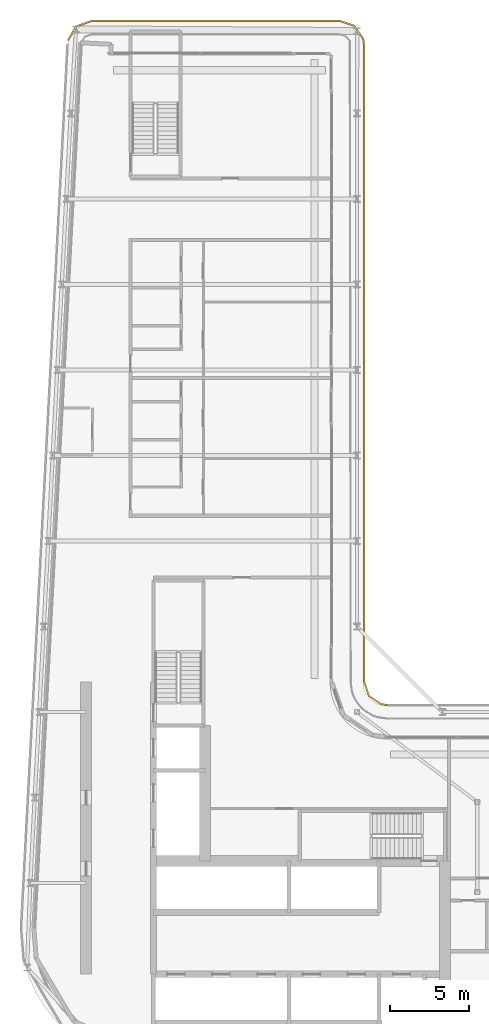
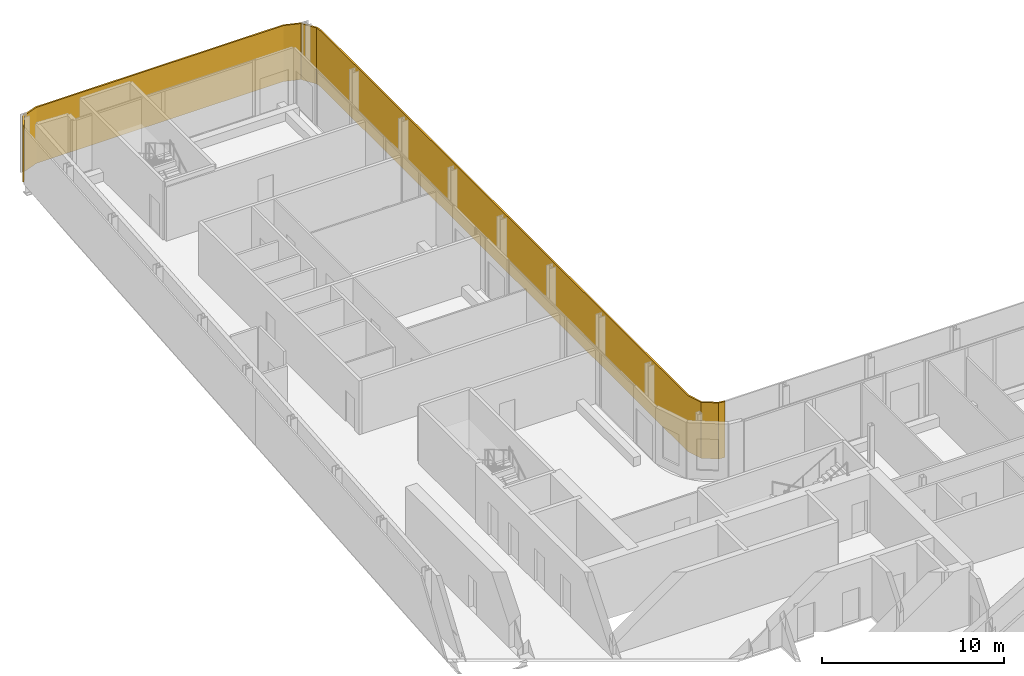
# One storey, part 19 of 21: 1 shading device.
"""IFC4 building model written with IfcOpenShell, lengths in metres."""

import ifcopenshell
import ifcopenshell.guid

model = None  # the IFC model being written
_history = None  # IfcOwnerHistory: only IFC2X3 demands one
_inside = {}  # id of a spatial element -> (the spatial element, [elements in it])
_under = {}  # id of a project, library or spatial element -> (it, [spatial elements below it])
_declared = {}  # id of a project -> (the project, [libraries it declares])
_typed = {}  # id of a type object -> (the type object, [elements of that type])
_made_of = {}  # id of a material, layer set ... -> (it, [elements and type objects made of it])


def new_model(schema):
    """Start an empty IFC model of exactly this schema.

    Asked for "IFC4X3", IfcOpenShell would pick the latest addendum, in which some entities
    have other attributes; the version numbers below select the first issue.
    IFC2X3 requires an IfcOwnerHistory on every rooted entity: one is made here for all.
    """
    global model, _history
    if schema == "IFC4X3":
        model = ifcopenshell.file(schema_version=(4, 3, 0, 0))
    else:
        model = ifcopenshell.file(schema=schema)
    _inside.clear()
    _under.clear()
    _declared.clear()
    _typed.clear()
    _made_of.clear()
    _history = None
    if model.schema == "IFC2X3":
        org = make("IfcOrganization", Name="unknown")
        user = make(
            "IfcPersonAndOrganization",
            ThePerson=make("IfcPerson", FamilyName="unknown"),
            TheOrganization=org,
        )
        app = make(
            "IfcApplication",
            ApplicationDeveloper=org,
            Version="unknown",
            ApplicationFullName="unknown",
            ApplicationIdentifier="unknown",
        )
        _history = make(
            "IfcOwnerHistory",
            OwningUser=user,
            OwningApplication=app,
            ChangeAction="ADDED",
            CreationDate=0,
        )
    return model


def make(cls, **values):
    """One entity of the class cls with the attributes given. An attribute that is None is left unset."""
    return model.create_entity(
        cls, **{name: value for name, value in values.items() if value is not None}
    )


def rooted(cls, **values):
    """An entity with a GlobalId (a new one), such as an element, a storey or a relation."""
    return make(cls, GlobalId=ifcopenshell.guid.new(), OwnerHistory=_history, **values)


def si_unit(unit_type, name, prefix=None):
    """IfcSIUnit, for example si_unit("LENGTHUNIT", "METRE", prefix="MILLI")."""
    return make("IfcSIUnit", UnitType=unit_type, Prefix=prefix, Name=name)


def assignment(units):
    """IfcUnitAssignment: the units of a project."""
    return None if units is None else make("IfcUnitAssignment", Units=units)


def point(xyz):
    """IfcCartesianPoint."""
    return None if xyz is None else make("IfcCartesianPoint", Coordinates=xyz)


def direction(xyz):
    """IfcDirection."""
    return None if xyz is None else make("IfcDirection", DirectionRatios=xyz)


def frame(location, z_axis=None, x_axis=None):
    """IfcAxis2Placement3D, a coordinate frame: its origin and axes. An axis left out is left unset."""
    return make(
        "IfcAxis2Placement3D",
        Location=point(location),
        Axis=direction(z_axis),
        RefDirection=direction(x_axis),
    )


def origin():
    """The frame at (0, 0, 0) with its axes left unset."""
    return frame((0.0, 0.0, 0.0))


def place(relative_to, where):
    """IfcLocalPlacement: puts the frame where relative to a parent placement (None: the world)."""
    return make(
        "IfcLocalPlacement", PlacementRelTo=relative_to, RelativePlacement=where
    )


def context(
    kind, dimensions, precision=None, world=None, true_north=None, identifier=None
):
    """IfcGeometricRepresentationContext, for example the 3D "Model" context."""
    return make(
        "IfcGeometricRepresentationContext",
        ContextIdentifier=identifier,
        ContextType=kind,
        CoordinateSpaceDimension=dimensions,
        Precision=precision,
        WorldCoordinateSystem=world,
        TrueNorth=true_north,
    )


def subcontext(parent, identifier, kind, view, scale=None):
    """IfcGeometricRepresentationSubContext, for example "Body" below "Model"."""
    return make(
        "IfcGeometricRepresentationSubContext",
        ContextIdentifier=identifier,
        ContextType=kind,
        ParentContext=parent,
        TargetScale=scale,
        TargetView=view,
    )


def project(units=None, contexts=None):
    """IfcProject with its units and contexts."""
    return rooted(
        "IfcProject",
        Name="project",
        RepresentationContexts=contexts,
        UnitsInContext=assignment(units),
    )


def spatial(cls, under=None, at=None, **own):
    """A site, building, storey or space (cls), placed at a placement, below another one or the project."""
    s = rooted(cls, ObjectPlacement=at, **own)
    if under is not None:
        _under.setdefault(under.id(), (under, []))[1].append(s)
    return s


def polyline(points):
    """IfcPolyline through the points."""
    return make("IfcPolyline", Points=[point(p) for p in points])


def outline(outer, holes=None, kind="AREA"):
    """IfcArbitraryClosedProfileDef: a profile drawn as a closed curve; with holes, ...WithVoids."""
    if holes is None:
        return make("IfcArbitraryClosedProfileDef", ProfileType=kind, OuterCurve=outer)
    return make(
        "IfcArbitraryProfileDefWithVoids",
        ProfileType=kind,
        OuterCurve=outer,
        InnerCurves=holes,
    )


def extrude(swept, where, along, depth):
    """IfcExtrudedAreaSolid: the profile swept, set in the frame where, extruded along a direction by depth."""
    return make(
        "IfcExtrudedAreaSolid",
        SweptArea=swept,
        Position=where,
        ExtrudedDirection=direction(along),
        Depth=depth,
    )


def shape(context_of_items, identifier, shape_type, items):
    """IfcShapeRepresentation: the items that make up one representation, for example the "Body"."""
    return make(
        "IfcShapeRepresentation",
        ContextOfItems=context_of_items,
        RepresentationIdentifier=identifier,
        RepresentationType=shape_type,
        Items=items,
    )


def material(Name=None, Category=None):
    """IfcMaterial."""
    return make("IfcMaterial", Name=Name, Category=Category)


def layer(
    of_material, thickness, ventilated=None, Name=None, Category=None, Priority=None
):
    """IfcMaterialLayer: one layer of a wall or slab, of a material (None: an air gap)."""
    return make(
        "IfcMaterialLayer",
        Material=of_material,
        LayerThickness=thickness,
        IsVentilated=ventilated,
        Name=Name,
        Category=Category,
        Priority=Priority,
    )


def layer_set(layers, Name=None):
    """IfcMaterialLayerSet."""
    return make("IfcMaterialLayerSet", MaterialLayers=layers, LayerSetName=Name)


def made_of(thing, what):
    """Note that an element or type object is made of a material, layer set ...; save() writes the relation."""
    if what is not None:
        _made_of.setdefault(what.id(), (what, []))[1].append(thing)
    return thing


def type_object(cls, material=None, **own):
    """A type object (cls), such as IfcWallType, which elements share."""
    return made_of(rooted(cls, **own), material)


def element(
    cls,
    number,
    at=None,
    inside=None,
    cuts=None,
    type_object=None,
    material=None,
    context=None,
    identifier="Body",
    shape_type=None,
    held_by="IfcProductDefinitionShape",
    body=None,
    shapes=None,
    **own,
):
    """One element of the class cls, such as IfcWall. Its Tag is "e" and its number.

    at: its placement. inside: the storey or other place that contains it. cuts: it is an
    opening in that element (IfcRelVoidsElement). A single representation is given by context,
    identifier, shape_type and body (its items); several are given by shapes. held_by: the class
    of the entity that holds the representations. save() writes the other relations.
    """
    e = rooted(cls, Tag="e%d" % number, ObjectPlacement=at, **own)
    if body is not None:
        shapes = [shape(context, identifier, shape_type, body)]
    if shapes is not None:
        e.Representation = make(held_by, Representations=shapes)
    if inside is not None:
        _inside.setdefault(inside.id(), (inside, []))[1].append(e)
    if cuts is not None:
        rooted(
            "IfcRelVoidsElement", RelatingBuildingElement=cuts, RelatedOpeningElement=e
        )
    if type_object is not None:
        _typed.setdefault(type_object.id(), (type_object, []))[1].append(e)
    return made_of(e, material)


def aggregate(whole, parts):
    """IfcRelAggregates: a whole, such as a stair, and the parts it consists of."""
    return rooted("IfcRelAggregates", RelatingObject=whole, RelatedObjects=parts)


def save(model, path):
    """Write the relations noted so far, then the file.

    IfcRelAggregates (storeys below a building ...), IfcRelContainedInSpatialStructure (elements
    in a storey), IfcRelDefinesByType, IfcRelAssociatesMaterial and IfcRelDeclares: one each for
    every whole, place, type object, material and project.
    """
    for whole, parts in _under.values():
        aggregate(whole, parts)
    for where, things in _inside.values():
        rooted(
            "IfcRelContainedInSpatialStructure",
            RelatedElements=things,
            RelatingStructure=where,
        )
    for kind, things in _typed.values():
        rooted("IfcRelDefinesByType", RelatedObjects=things, RelatingType=kind)
    for what, things in _made_of.values():
        rooted("IfcRelAssociatesMaterial", RelatedObjects=things, RelatingMaterial=what)
    for by, libraries in _declared.values():
        rooted("IfcRelDeclares", RelatingContext=by, RelatedDefinitions=libraries)
    model.write(path)


model = new_model("IFC4")

# Units and contexts
model_context = context("Model", 3, precision=1e-05, world=origin(), true_north=direction((0.0, 1.0)))
body_context = subcontext(model_context, "Body", "Model", "MODEL_VIEW")
ifc_project = project(units=[si_unit("LENGTHUNIT", "METRE"), si_unit("AREAUNIT", "SQUARE_METRE"), si_unit("VOLUMEUNIT", "CUBIC_METRE"), si_unit("PLANEANGLEUNIT", "RADIAN"), si_unit("MASSUNIT", "GRAM", prefix="KILO")], contexts=[model_context])

# Site, building, storey
site_placement = place(None, origin())
site = spatial("IfcSite", under=ifc_project, at=site_placement, CompositionType="ELEMENT")
building_placement = place(site_placement, origin())
building = spatial("IfcBuilding", under=site, at=building_placement, Name="Kheshtan School and Residences Tower", CompositionType="ELEMENT")
storey_placement = place(building_placement, frame((0.0, 0.0, 224.0)))
storey = spatial("IfcBuildingStorey", under=building, at=storey_placement, Name="L52", CompositionType="ELEMENT", Elevation=224.0)

# Shading device
ifc_material = material(Name="Terracotta lattice, extruded ceramic", Category="masonry")
ifc_layer = layer(ifc_material, 0.10009765625)
ifc_layer_set = layer_set([ifc_layer], Name="Loggia screen, terracotta lattice")
shading_device_type = type_object("IfcShadingDeviceType", Name="Loggia screen, terracotta lattice", PredefinedType="USERDEFINED", material=ifc_layer_set)
shading_device_placement = place(storey_placement, origin())
element("IfcShadingDevice", 1, at=shading_device_placement, inside=storey, type_object=shading_device_type, Name="Screen L52 1", ObjectType="SCREEN", PredefinedType="USERDEFINED", context=body_context, shape_type="SweptSolid", body=[
    extrude(outline(polyline([(29.382080078125, 87.98388671875), (29.89990234375, 88.85693359375), (30.85498046875, 89.199951171875), (46.5, 89.199951171875), (47.4130859375, 88.889892578125), (47.948974609375, 88.087890625), (48.0, 87.699951171875), (48.0, 47.5), (48.31005859375, 46.5869140625), (49.112060546875, 46.051025390625), (49.5, 46.0), (49.512939453125, 46.09912109375), (49.14794921875, 46.14697265625), (48.39404296875, 46.65087890625), (48.10009765625, 47.51708984375), (48.10009765625, 87.70703125), (48.044921875, 88.1240234375), (47.47705078125, 88.97412109375), (46.51708984375, 89.300048828125), (30.837890625, 89.300048828125), (29.83203125, 88.93896484375), (29.2958984375, 88.034912109375), (29.382080078125, 87.98388671875)])), origin(), (0.0, 0.0, 1.0), 3.75),
])

save(model, "model.ifc")
